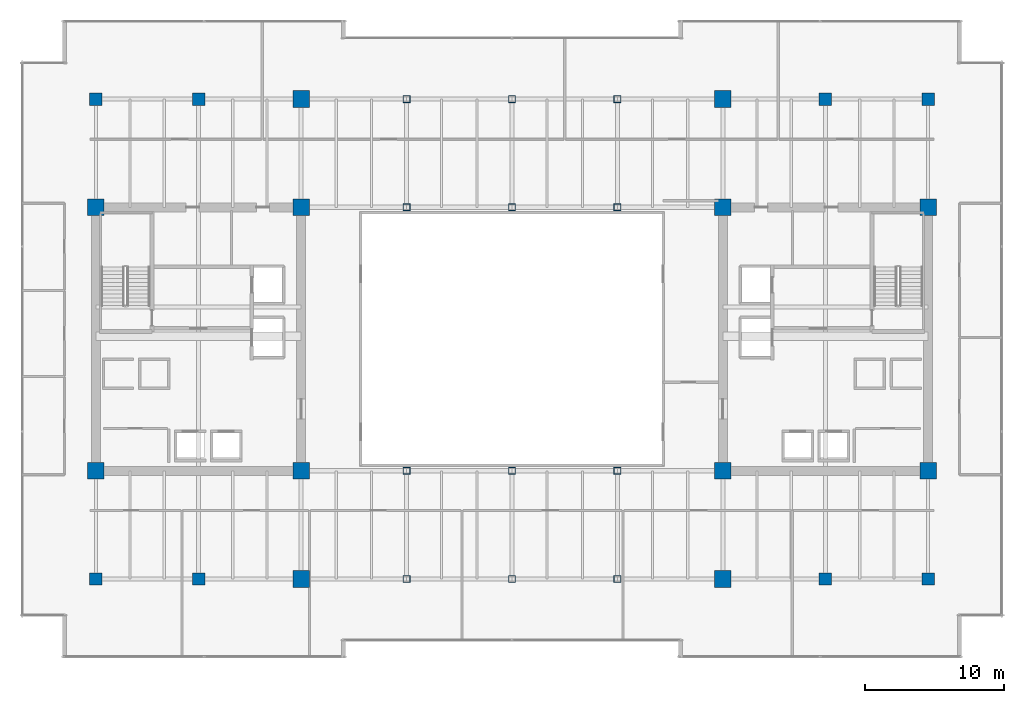
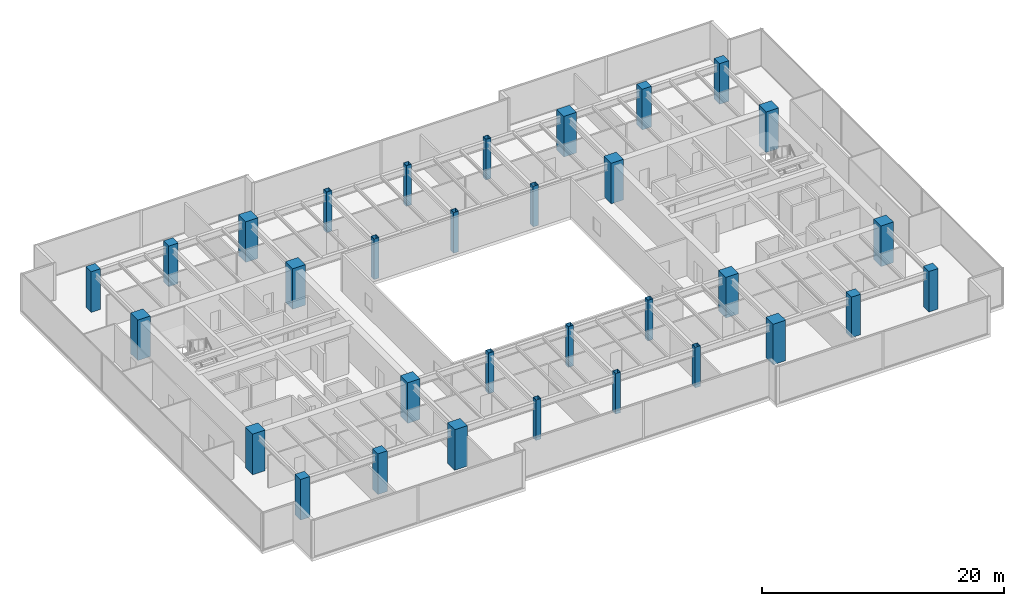
# One storey, part 1 of 30: 32 columns.
"""IFC4 building model written with IfcOpenShell, lengths in metres."""

from ifc_helpers import new_model, si_unit, direction, frame, origin, origin_2d, place, context, subcontext, project, spatial, rectangle, hollow_rectangle, extrude, source, transform, mapped, material, material_profile, profile_set, type_object, type_shapes, element, save


model = new_model("IFC4")

# Units and contexts
model_context = context("Model", 3, precision=1e-05, world=origin(), true_north=direction((0.0, 1.0)))
body_context = subcontext(model_context, "Body", "Model", "MODEL_VIEW")
ifc_project = project(units=[si_unit("LENGTHUNIT", "METRE"), si_unit("AREAUNIT", "SQUARE_METRE"), si_unit("VOLUMEUNIT", "CUBIC_METRE"), si_unit("PLANEANGLEUNIT", "RADIAN"), si_unit("MASSUNIT", "GRAM", prefix="KILO")], contexts=[model_context])

# Site, building, storey
site_placement = place(None, origin())
site = spatial("IfcSite", under=ifc_project, at=site_placement, CompositionType="ELEMENT")
building_placement = place(site_placement, origin())
building = spatial("IfcBuilding", under=site, at=building_placement, Name="Haelvirn Gate Laboratories", CompositionType="ELEMENT")
storey_placement = place(building_placement, frame((0.0, 0.0, 162.5)))
storey = spatial("IfcBuildingStorey", under=building, at=storey_placement, Name="L39", CompositionType="ELEMENT", Elevation=162.5)

# Columns
ifc_material_1 = material(Name="Concrete C50/60", Category="concrete")
ifc_material_profile_1 = material_profile(ifc_material_1, rectangle(XDim=0.89990234375, YDim=0.89990234375, at=origin_2d()), Name="RC-900x900")
ifc_profile_set_1 = profile_set([ifc_material_profile_1], Name="Concrete C50/60")
column_type_1 = type_object("IfcColumnType", Name="COL-RC-900", PredefinedType="COLUMN", material=ifc_profile_set_1)
shared_shape_1 = source(origin(), body_context, "Body", "SweptSolid", [
    extrude(rectangle(XDim=0.89990234375, YDim=0.89990234375, at=origin_2d()), origin(), (0.0, 0.0, 1.0), 4.10009765625),
])
type_shapes(column_type_1, [shared_shape_1])
for number, where, z_axis, x_axis, name in (
    (1, (14.800048828125, 7.0, 0.0), (0.0, 0.0, 1.0), (1.0, 0.0, 0.0), "L39 Column 3B"),
    (2, (14.800048828125, 41.60009765625, 0.0), (0.0, 0.0, 1.0), (1.0, 0.0, 0.0), "L39 Column 3G"),
    (3, (60.0, 7.0, 0.0), (0.0, 0.0, 1.0), (1.0, 0.0, 0.0), "L39 Column 9B"),
    (4, (60.0, 41.60009765625, 0.0), (0.0, 0.0, 1.0), (1.0, 0.0, 0.0), "L39 Column 9G"),
    (5, (7.39990234375, 7.0, 0.0), (0.0, 0.0, 1.0), (1.0, 0.0, 0.0), "L39 Column 2B"),
    (6, (7.39990234375, 41.60009765625, 0.0), (0.0, 0.0, 1.0), (1.0, 0.0, 0.0), "L39 Column 2G"),
    (7, (67.39990234375, 7.0, 0.0), (0.0, 0.0, 1.0), (1.0, 0.0, 0.0), "L39 Column 10B"),
    (8, (67.39990234375, 41.60009765625, 0.0), (0.0, 0.0, 1.0), (1.0, 0.0, 0.0), "L39 Column 10G"),
):
    element("IfcColumn", number, at=place(storey_placement, frame(where, z_axis=z_axis, x_axis=x_axis)), inside=storey, type_object=column_type_1, Name=name, PredefinedType="COLUMN", context=body_context, shape_type="MappedRepresentation", body=[
        mapped(shared_shape_1, transform((0.0, 0.0, 0.0), scale=1.0)),
    ])
ifc_material_2 = material(Name="Concrete C60/75", Category="concrete")
ifc_material_profile_2 = material_profile(ifc_material_2, rectangle(XDim=1.199951171875, YDim=1.199951171875, at=origin_2d()), Name="SRC-1200x1200")
ifc_profile_set_2 = profile_set([ifc_material_profile_2], Name="Concrete C60/75")
column_type_2 = type_object("IfcColumnType", Name="COL-SRC-1200", PredefinedType="COLUMN", material=ifc_profile_set_2)
shared_shape_2 = source(origin(), body_context, "Body", "SweptSolid", [
    extrude(rectangle(XDim=1.199951171875, YDim=1.199951171875, at=origin_2d()), origin(), (0.0, 0.0, 1.0), 4.10009765625),
])
type_shapes(column_type_2, [shared_shape_2])
for number, where, z_axis, x_axis, name in (
    (9, (22.199951171875, 7.0, 0.0), (0.0, 0.0, 1.0), (1.0, 0.0, 0.0), "L39 Column 4B"),
    (10, (7.39990234375, 14.800048828125, 0.0), (0.0, 0.0, 1.0), (1.0, 0.0, 0.0), "L39 Column 2C"),
    (11, (22.199951171875, 14.800048828125, 0.0), (0.0, 0.0, 1.0), (1.0, 0.0, 0.0), "L39 Column 4C"),
    (12, (7.39990234375, 33.800048828125, 0.0), (0.0, 0.0, 1.0), (1.0, 0.0, 0.0), "L39 Column 2F"),
    (13, (22.199951171875, 33.800048828125, 0.0), (0.0, 0.0, 1.0), (1.0, 0.0, 0.0), "L39 Column 4F"),
    (14, (22.199951171875, 41.60009765625, 0.0), (0.0, 0.0, 1.0), (1.0, 0.0, 0.0), "L39 Column 4G"),
    (15, (52.60009765625, 7.0, 0.0), (0.0, 0.0, 1.0), (1.0, 0.0, 0.0), "L39 Column 8B"),
    (16, (52.60009765625, 14.800048828125, 0.0), (0.0, 0.0, 1.0), (1.0, 0.0, 0.0), "L39 Column 8C"),
    (17, (67.39990234375, 14.800048828125, 0.0), (0.0, 0.0, 1.0), (1.0, 0.0, 0.0), "L39 Column 10C"),
    (18, (52.60009765625, 33.800048828125, 0.0), (0.0, 0.0, 1.0), (1.0, 0.0, 0.0), "L39 Column 8F"),
    (19, (67.39990234375, 33.800048828125, 0.0), (0.0, 0.0, 1.0), (1.0, 0.0, 0.0), "L39 Column 10F"),
    (20, (52.60009765625, 41.60009765625, 0.0), (0.0, 0.0, 1.0), (1.0, 0.0, 0.0), "L39 Column 8G"),
):
    element("IfcColumn", number, at=place(storey_placement, frame(where, z_axis=z_axis, x_axis=x_axis)), inside=storey, type_object=column_type_2, Name=name, PredefinedType="COLUMN", context=body_context, shape_type="MappedRepresentation", body=[
        mapped(shared_shape_2, transform((0.0, 0.0, 0.0), scale=1.0)),
    ])
ifc_material_3 = material(Name="Steel SM355", Category="steel")
ifc_material_profile_3 = material_profile(ifc_material_3, hollow_rectangle(XDim=0.5, YDim=0.5, WallThickness=0.02197265625, at=origin_2d()), Name="BOX-500x500x22")
ifc_profile_set_3 = profile_set([ifc_material_profile_3], Name="Steel SM355")
column_type_3 = type_object("IfcColumnType", Name="COL-BOX-500", PredefinedType="COLUMN", material=ifc_profile_set_3)
shared_shape_3 = source(origin(), body_context, "Body", "SweptSolid", [
    extrude(hollow_rectangle(XDim=0.5, YDim=0.5, WallThickness=0.02197265625, at=origin_2d()), origin(), (0.0, 0.0, 1.0), 4.10009765625),
])
type_shapes(column_type_3, [shared_shape_3])
for number, where, z_axis, x_axis, name in (
    (21, (29.800048828125, 7.0, 0.0), (0.0, 0.0, 1.0), (1.0, 0.0, 0.0), "L39 Column 5B"),
    (22, (29.800048828125, 14.800048828125, 0.0), (0.0, 0.0, 1.0), (1.0, 0.0, 0.0), "L39 Column 5C"),
    (23, (29.800048828125, 33.800048828125, 0.0), (0.0, 0.0, 1.0), (1.0, 0.0, 0.0), "L39 Column 5F"),
    (24, (29.800048828125, 41.60009765625, 0.0), (0.0, 0.0, 1.0), (1.0, 0.0, 0.0), "L39 Column 5G"),
    (25, (37.39990234375, 7.0, 0.0), (0.0, 0.0, 1.0), (1.0, 0.0, 0.0), "L39 Column 6B"),
    (26, (37.39990234375, 14.800048828125, 0.0), (0.0, 0.0, 1.0), (1.0, 0.0, 0.0), "L39 Column 6C"),
    (27, (37.39990234375, 33.800048828125, 0.0), (0.0, 0.0, 1.0), (1.0, 0.0, 0.0), "L39 Column 6F"),
    (28, (37.39990234375, 41.60009765625, 0.0), (0.0, 0.0, 1.0), (1.0, 0.0, 0.0), "L39 Column 6G"),
    (29, (45.0, 7.0, 0.0), (0.0, 0.0, 1.0), (1.0, 0.0, 0.0), "L39 Column 7B"),
    (30, (45.0, 14.800048828125, 0.0), (0.0, 0.0, 1.0), (1.0, 0.0, 0.0), "L39 Column 7C"),
    (31, (45.0, 33.800048828125, 0.0), (0.0, 0.0, 1.0), (1.0, 0.0, 0.0), "L39 Column 7F"),
    (32, (45.0, 41.60009765625, 0.0), (0.0, 0.0, 1.0), (1.0, 0.0, 0.0), "L39 Column 7G"),
):
    element("IfcColumn", number, at=place(storey_placement, frame(where, z_axis=z_axis, x_axis=x_axis)), inside=storey, type_object=column_type_3, Name=name, PredefinedType="COLUMN", context=body_context, shape_type="MappedRepresentation", body=[
        mapped(shared_shape_3, transform((0.0, 0.0, 0.0), scale=1.0)),
    ])

save(model, "model.ifc")
